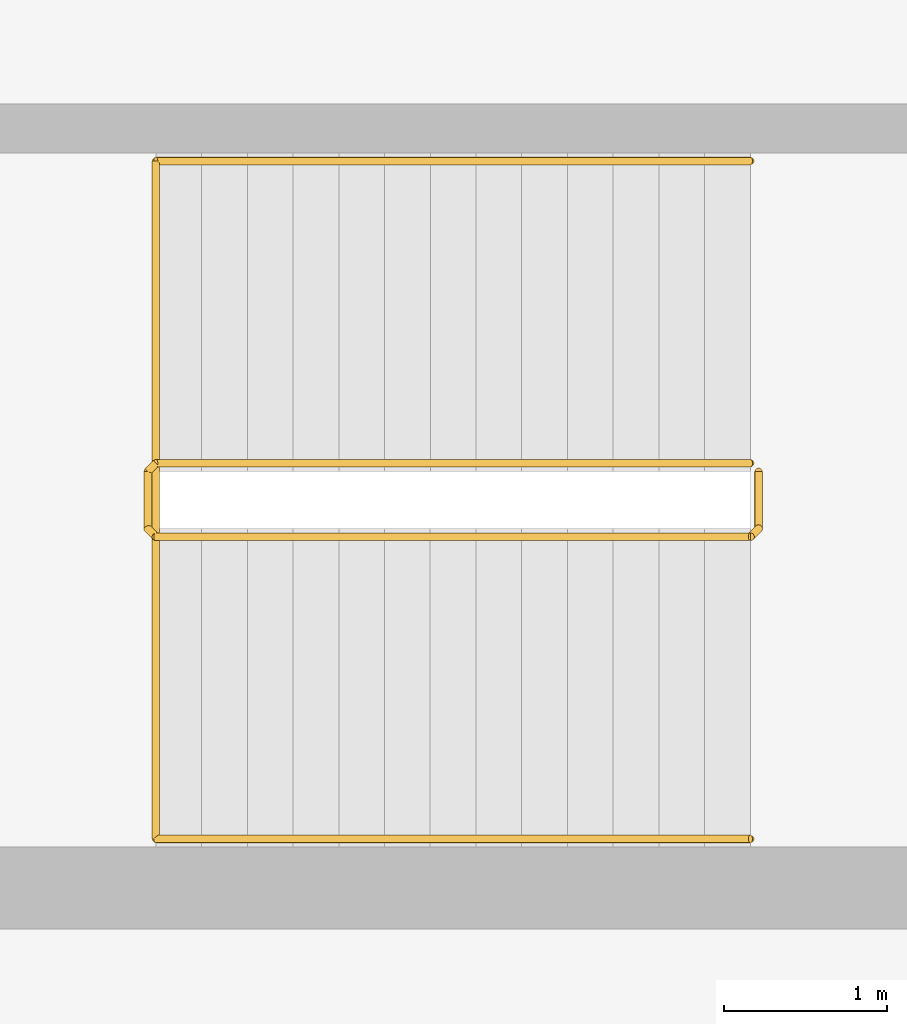
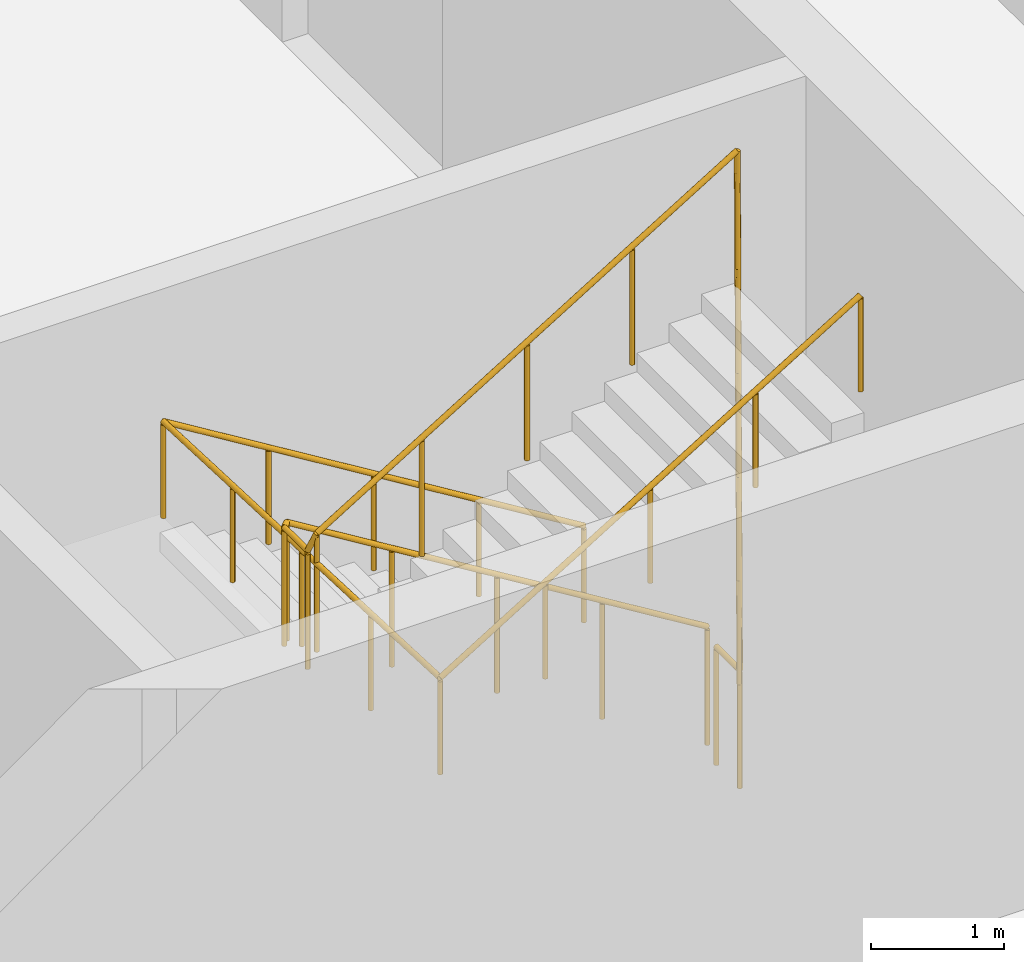
# One storey, part 45 of 49: 2 railings.
"""IFC4 building model written with IfcOpenShell, lengths in metres."""

from ifc_helpers import new_model, si_unit, direction, frame, origin, origin_2d, place, context, subcontext, project, spatial, circle, extrude, material, type_object, element, save


model = new_model("IFC4")

# Units and contexts
model_context = context("Model", 3, precision=1e-05, world=origin(), true_north=direction((0.0, 1.0)))
body_context = subcontext(model_context, "Body", "Model", "MODEL_VIEW")
ifc_project = project(units=[si_unit("LENGTHUNIT", "METRE"), si_unit("AREAUNIT", "SQUARE_METRE"), si_unit("VOLUMEUNIT", "CUBIC_METRE"), si_unit("PLANEANGLEUNIT", "RADIAN"), si_unit("MASSUNIT", "GRAM", prefix="KILO")], contexts=[model_context])

# Site, building, storey
site_placement = place(None, origin())
site = spatial("IfcSite", under=ifc_project, at=site_placement, CompositionType="ELEMENT")
building_placement = place(site_placement, origin())
building = spatial("IfcBuilding", under=site, at=building_placement, Name="Hunhe Ridgeline Campus", CompositionType="ELEMENT")
storey_placement = place(building_placement, frame((0.0, 0.0, 21.60009765625)))
storey = spatial("IfcBuildingStorey", under=building, at=storey_placement, Name="L04", CompositionType="ELEMENT", Elevation=21.60009765625)

# Railings
ifc_material_1 = material(Name="Stainless steel balustrade", Category="steel")
railing_type_1 = type_object("IfcRailingType", Name="Stair guard 1100 stainless", PredefinedType="GUARDRAIL", material=ifc_material_1)
railing_1_placement = place(storey_placement, frame((33.550048828125, 65.85009765625, 0.17138671875)))
element("IfcRailing", 1, at=railing_1_placement, inside=storey, type_object=railing_type_1, Name="L04 stair S2 guard", PredefinedType="GUARDRAIL", context=body_context, shape_type="SweptSolid", body=[
    extrude(circle(Radius=0.02392578125, at=origin_2d()), frame((0.0, 0.0, 1.076171875), z_axis=(-0.852865859571, 0.0, 0.52213008492), x_axis=(0.0, -1.0, 0.0)), (0.0, 0.0, 1.0), 4.26806640625),
    extrude(circle(Radius=0.02392578125, at=origin_2d()), frame((-3.64013671875, 0.0, 3.3046875), z_axis=(-0.705375805398, -0.708833529934, 0.0), x_axis=(0.708833529934, -0.705375805398, 0.0)), (0.0, 0.0, 1.0), 0.070556640625),
    extrude(circle(Radius=0.02392578125, at=origin_2d()), frame((-3.68994140625, -0.050048828125, 3.3046875), z_axis=(0.0, -1.0, 0.0), x_axis=(1.0, 0.0, 0.0)), (0.0, 0.0, 1.0), 0.35009765625),
    extrude(circle(Radius=0.02392578125, at=origin_2d()), frame((-3.68994140625, -0.400146484375, 3.3046875), z_axis=(0.268689830376, -0.270006937388, 0.924609122178), x_axis=(0.708833529934, 0.705375805398, 0.0)), (0.0, 0.0, 1.0), 0.185302734375),
    extrude(circle(Radius=0.02392578125, at=origin_2d()), frame((-3.64013671875, -0.4501953125, 3.47607421875), z_axis=(0.852865859571, 0.0, 0.52213008492), x_axis=(0.0, 1.0, 0.0)), (0.0, 0.0, 1.0), 4.26806640625),
    extrude(circle(Radius=0.02392578125, at=origin_2d()), frame((0.0, -0.4501953125, 5.70458984375), z_axis=(0.01042612993, 0.01042612993, -0.999891289906), x_axis=(-0.707106781187, 0.707106781187, 0.0)), (0.0, 0.0, 1.0), 4.80029296875),
    extrude(circle(Radius=0.02392578125, at=origin_2d()), frame((0.050048828125, -0.400146484375, 0.90478515625), z_axis=(0.0, 1.0, 0.0), x_axis=(-1.0, 0.0, 0.0)), (0.0, 0.0, 1.0), 0.35009765625),
    extrude(circle(Radius=0.02099609375, at=origin_2d()), origin(), (0.0, 0.0, 1.0), 1.052001953125),
    extrude(circle(Radius=0.02099609375, at=origin_2d()), frame((-0.91015625, 0.0, 0.55712890625)), (0.0, 0.0, 1.0), 1.052001953125),
    extrude(circle(Radius=0.02099609375, at=origin_2d()), frame((-1.820068359375, 0.0, 1.1142578125)), (0.0, 0.0, 1.0), 1.052001953125),
    extrude(circle(Radius=0.02099609375, at=origin_2d()), frame((-2.72998046875, 0.0, 1.67138671875)), (0.0, 0.0, 1.0), 1.052001953125),
    extrude(circle(Radius=0.02099609375, at=origin_2d()), frame((-3.64013671875, 0.0, 2.228515625)), (0.0, 0.0, 1.0), 1.052001953125),
    extrude(circle(Radius=0.02099609375, at=origin_2d()), frame((-3.68994140625, -0.050048828125, 2.228515625)), (0.0, 0.0, 1.0), 1.052001953125),
    extrude(circle(Radius=0.02099609375, at=origin_2d()), frame((-3.68994140625, -0.400146484375, 2.228515625)), (0.0, 0.0, 1.0), 1.052001953125),
    extrude(circle(Radius=0.02099609375, at=origin_2d()), frame((-3.64013671875, -0.4501953125, 2.39990234375)), (0.0, 0.0, 1.0), 1.052001953125),
    extrude(circle(Radius=0.02099609375, at=origin_2d()), frame((-2.72998046875, -0.4501953125, 2.95703125)), (0.0, 0.0, 1.0), 1.052001953125),
    extrude(circle(Radius=0.02099609375, at=origin_2d()), frame((-1.820068359375, -0.4501953125, 3.51416015625)), (0.0, 0.0, 1.0), 1.052001953125),
    extrude(circle(Radius=0.02099609375, at=origin_2d()), frame((-0.91015625, -0.4501953125, 4.0712890625)), (0.0, 0.0, 1.0), 1.052001953125),
    extrude(circle(Radius=0.02099609375, at=origin_2d()), frame((0.0, -0.4501953125, 4.62841796875)), (0.0, 0.0, 1.0), 1.052001953125),
    extrude(circle(Radius=0.02099609375, at=origin_2d()), frame((0.010009765625, -0.440185546875, 3.66845703125)), (0.0, 0.0, 1.0), 1.052001953125),
    extrude(circle(Radius=0.02099609375, at=origin_2d()), frame((0.02001953125, -0.43017578125, 2.70849609375)), (0.0, 0.0, 1.0), 1.052001953125),
    extrude(circle(Radius=0.02099609375, at=origin_2d()), frame((0.030029296875, -0.420166015625, 1.74853515625)), (0.0, 0.0, 1.0), 1.052001953125),
    extrude(circle(Radius=0.02099609375, at=origin_2d()), frame((0.0400390625, -0.41015625, 0.78857421875)), (0.0, 0.0, 1.0), 1.052001953125),
    extrude(circle(Radius=0.02099609375, at=origin_2d()), frame((0.050048828125, -0.400146484375, -0.17138671875)), (0.0, 0.0, 1.0), 1.052001953125),
    extrude(circle(Radius=0.02099609375, at=origin_2d()), frame((0.050048828125, -0.050048828125, -0.17138671875)), (0.0, 0.0, 1.0), 1.052001953125),
])
ifc_material_2 = material(Name="Stainless steel handrail", Category="steel")
railing_type_2 = type_object("IfcRailingType", Name="Stair handrail 900 stainless", PredefinedType="HANDRAIL", material=ifc_material_2)
railing_2_placement = place(storey_placement, frame((33.550048828125, 67.699951171875, 0.17138671875)))
element("IfcRailing", 2, at=railing_2_placement, inside=storey, type_object=railing_type_2, Name="L04 stair S2 handrail", PredefinedType="HANDRAIL", context=body_context, shape_type="SweptSolid", body=[
    extrude(circle(Radius=0.02392578125, at=origin_2d()), frame((0.0, 0.0, 0.8759765625), z_axis=(-0.852865859571, 0.0, 0.52213008492), x_axis=(0.0, -1.0, 0.0)), (0.0, 0.0, 1.0), 4.26806640625),
    extrude(circle(Radius=0.02392578125, at=origin_2d()), frame((-3.64013671875, 0.0, 3.1044921875), z_axis=(0.0, -0.999148286637, 0.04126380146), x_axis=(1.0, 0.0, 0.0)), (0.0, 0.0, 1.0), 4.1533203125),
    extrude(circle(Radius=0.02392578125, at=origin_2d()), frame((-3.64013671875, -4.14990234375, 3.27587890625), z_axis=(0.852865859571, 0.0, 0.52213008492), x_axis=(0.0, 1.0, 0.0)), (0.0, 0.0, 1.0), 4.26806640625),
    extrude(circle(Radius=0.02099609375, at=origin_2d()), origin(), (0.0, 0.0, 1.0), 0.851806640625),
    extrude(circle(Radius=0.02099609375, at=origin_2d()), frame((-0.91015625, 0.0, 0.55712890625)), (0.0, 0.0, 1.0), 0.851806640625),
    extrude(circle(Radius=0.02099609375, at=origin_2d()), frame((-1.820068359375, 0.0, 1.1142578125)), (0.0, 0.0, 1.0), 0.851806640625),
    extrude(circle(Radius=0.02099609375, at=origin_2d()), frame((-2.72998046875, 0.0, 1.67138671875)), (0.0, 0.0, 1.0), 0.851806640625),
    extrude(circle(Radius=0.02099609375, at=origin_2d()), frame((-3.64013671875, 0.0, 2.228515625)), (0.0, 0.0, 1.0), 0.851806640625),
    extrude(circle(Radius=0.02099609375, at=origin_2d()), frame((-3.64013671875, -1.03759765625, 2.271484375)), (0.0, 0.0, 1.0), 0.851806640625),
    extrude(circle(Radius=0.02099609375, at=origin_2d()), frame((-3.64013671875, -2.074951171875, 2.314208984375)), (0.0, 0.0, 1.0), 0.851806640625),
    extrude(circle(Radius=0.02099609375, at=origin_2d()), frame((-3.64013671875, -3.1123046875, 2.35693359375)), (0.0, 0.0, 1.0), 0.851806640625),
    extrude(circle(Radius=0.02099609375, at=origin_2d()), frame((-3.64013671875, -4.14990234375, 2.39990234375)), (0.0, 0.0, 1.0), 0.851806640625),
    extrude(circle(Radius=0.02099609375, at=origin_2d()), frame((-2.72998046875, -4.14990234375, 2.95703125)), (0.0, 0.0, 1.0), 0.851806640625),
    extrude(circle(Radius=0.02099609375, at=origin_2d()), frame((-1.820068359375, -4.14990234375, 3.51416015625)), (0.0, 0.0, 1.0), 0.851806640625),
    extrude(circle(Radius=0.02099609375, at=origin_2d()), frame((-0.91015625, -4.14990234375, 4.0712890625)), (0.0, 0.0, 1.0), 0.851806640625),
    extrude(circle(Radius=0.02099609375, at=origin_2d()), frame((0.0, -4.14990234375, 4.62841796875)), (0.0, 0.0, 1.0), 0.851806640625),
])

save(model, "model.ifc")
